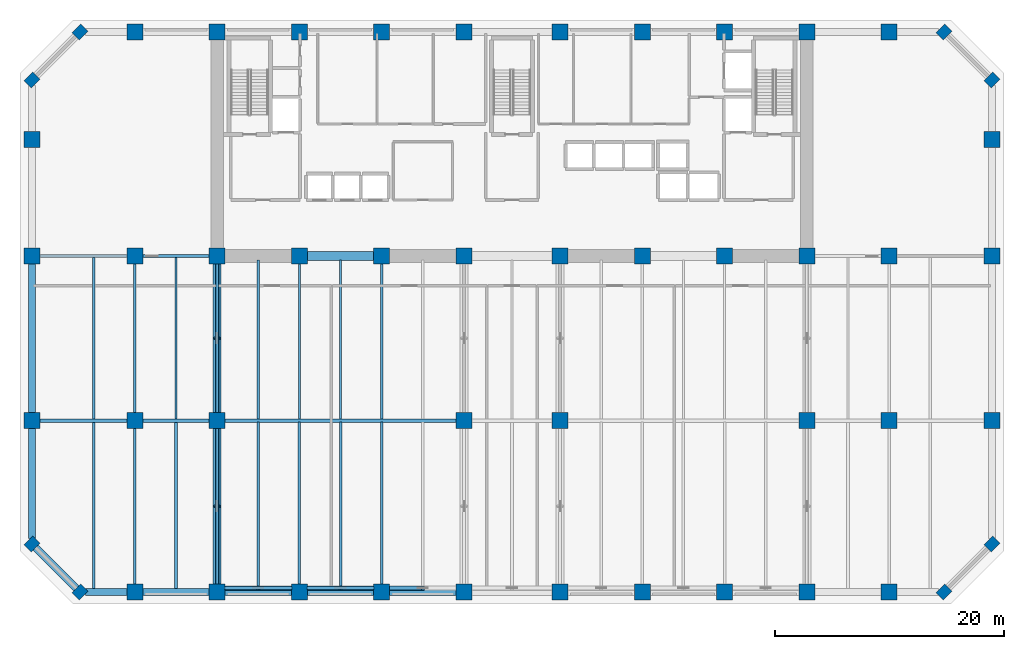
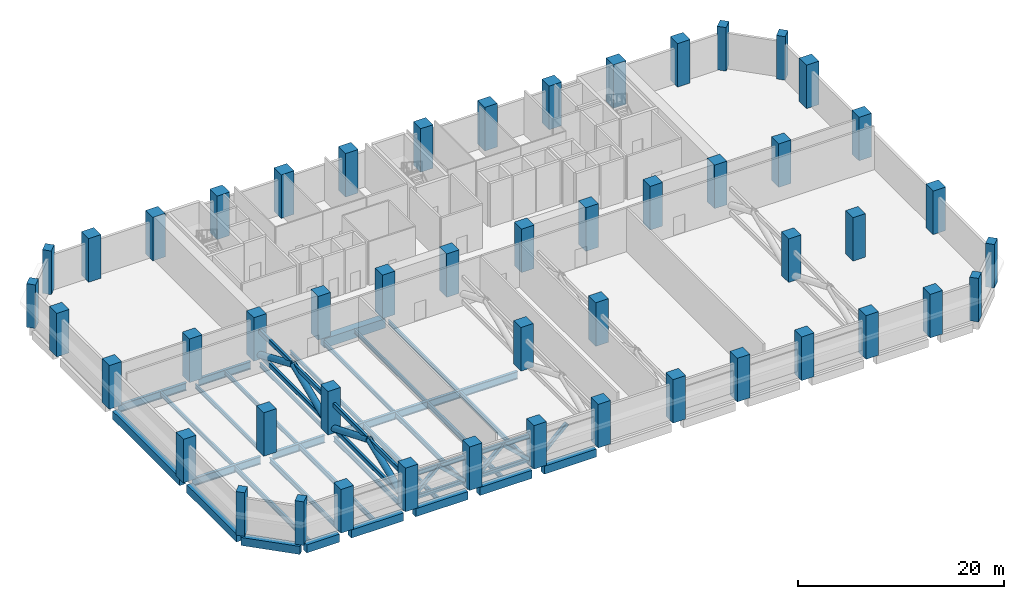
# One storey, part 1 of 15: 50 columns, 30 beams, 17 members.
"""IFC4 building model written with IfcOpenShell, lengths in metres."""

import ifcopenshell
import ifcopenshell.guid

model = None  # the IFC model being written
_history = None  # IfcOwnerHistory: only IFC2X3 demands one
_inside = {}  # id of a spatial element -> (the spatial element, [elements in it])
_under = {}  # id of a project, library or spatial element -> (it, [spatial elements below it])
_declared = {}  # id of a project -> (the project, [libraries it declares])
_typed = {}  # id of a type object -> (the type object, [elements of that type])
_made_of = {}  # id of a material, layer set ... -> (it, [elements and type objects made of it])


def new_model(schema):
    """Start an empty IFC model of exactly this schema.

    Asked for "IFC4X3", IfcOpenShell would pick the latest addendum, in which some entities
    have other attributes; the version numbers below select the first issue.
    IFC2X3 requires an IfcOwnerHistory on every rooted entity: one is made here for all.
    """
    global model, _history
    if schema == "IFC4X3":
        model = ifcopenshell.file(schema_version=(4, 3, 0, 0))
    else:
        model = ifcopenshell.file(schema=schema)
    _inside.clear()
    _under.clear()
    _declared.clear()
    _typed.clear()
    _made_of.clear()
    _history = None
    if model.schema == "IFC2X3":
        org = make("IfcOrganization", Name="unknown")
        user = make(
            "IfcPersonAndOrganization",
            ThePerson=make("IfcPerson", FamilyName="unknown"),
            TheOrganization=org,
        )
        app = make(
            "IfcApplication",
            ApplicationDeveloper=org,
            Version="unknown",
            ApplicationFullName="unknown",
            ApplicationIdentifier="unknown",
        )
        _history = make(
            "IfcOwnerHistory",
            OwningUser=user,
            OwningApplication=app,
            ChangeAction="ADDED",
            CreationDate=0,
        )
    return model


def make(cls, **values):
    """One entity of the class cls with the attributes given. An attribute that is None is left unset."""
    return model.create_entity(
        cls, **{name: value for name, value in values.items() if value is not None}
    )


def rooted(cls, **values):
    """An entity with a GlobalId (a new one), such as an element, a storey or a relation."""
    return make(cls, GlobalId=ifcopenshell.guid.new(), OwnerHistory=_history, **values)


def si_unit(unit_type, name, prefix=None):
    """IfcSIUnit, for example si_unit("LENGTHUNIT", "METRE", prefix="MILLI")."""
    return make("IfcSIUnit", UnitType=unit_type, Prefix=prefix, Name=name)


def assignment(units):
    """IfcUnitAssignment: the units of a project."""
    return None if units is None else make("IfcUnitAssignment", Units=units)


def point(xyz):
    """IfcCartesianPoint."""
    return None if xyz is None else make("IfcCartesianPoint", Coordinates=xyz)


def direction(xyz):
    """IfcDirection."""
    return None if xyz is None else make("IfcDirection", DirectionRatios=xyz)


def frame(location, z_axis=None, x_axis=None):
    """IfcAxis2Placement3D, a coordinate frame: its origin and axes. An axis left out is left unset."""
    return make(
        "IfcAxis2Placement3D",
        Location=point(location),
        Axis=direction(z_axis),
        RefDirection=direction(x_axis),
    )


def frame_2d(location, x_axis=None):
    """IfcAxis2Placement2D, a coordinate frame in the plane: its origin and x axis."""
    return make(
        "IfcAxis2Placement2D", Location=point(location), RefDirection=direction(x_axis)
    )


def origin():
    """The frame at (0, 0, 0) with its axes left unset."""
    return frame((0.0, 0.0, 0.0))


def origin_2d():
    """The frame at (0, 0) in the plane with its x axis left unset."""
    return frame_2d((0.0, 0.0))


def place(relative_to, where):
    """IfcLocalPlacement: puts the frame where relative to a parent placement (None: the world)."""
    return make(
        "IfcLocalPlacement", PlacementRelTo=relative_to, RelativePlacement=where
    )


def context(
    kind, dimensions, precision=None, world=None, true_north=None, identifier=None
):
    """IfcGeometricRepresentationContext, for example the 3D "Model" context."""
    return make(
        "IfcGeometricRepresentationContext",
        ContextIdentifier=identifier,
        ContextType=kind,
        CoordinateSpaceDimension=dimensions,
        Precision=precision,
        WorldCoordinateSystem=world,
        TrueNorth=true_north,
    )


def subcontext(parent, identifier, kind, view, scale=None):
    """IfcGeometricRepresentationSubContext, for example "Body" below "Model"."""
    return make(
        "IfcGeometricRepresentationSubContext",
        ContextIdentifier=identifier,
        ContextType=kind,
        ParentContext=parent,
        TargetScale=scale,
        TargetView=view,
    )


def project(units=None, contexts=None):
    """IfcProject with its units and contexts."""
    return rooted(
        "IfcProject",
        Name="project",
        RepresentationContexts=contexts,
        UnitsInContext=assignment(units),
    )


def spatial(cls, under=None, at=None, **own):
    """A site, building, storey or space (cls), placed at a placement, below another one or the project."""
    s = rooted(cls, ObjectPlacement=at, **own)
    if under is not None:
        _under.setdefault(under.id(), (under, []))[1].append(s)
    return s


def profile(cls, at=None, kind="AREA", **sizes):
    """A parametric profile (cls). Its sizes go by their IFC names, for example OverallWidth=200.0."""
    return make(cls, ProfileType=kind, Position=at, **sizes)


def rectangle(**sizes):
    """IfcRectangleProfileDef."""
    return profile("IfcRectangleProfileDef", **sizes)


def hollow_rectangle(**sizes):
    """IfcRectangleHollowProfileDef."""
    return profile("IfcRectangleHollowProfileDef", **sizes)


def hollow_circle(**sizes):
    """IfcCircleHollowProfileDef."""
    return profile("IfcCircleHollowProfileDef", **sizes)


def i_section(**sizes):
    """IfcIShapeProfileDef."""
    return profile("IfcIShapeProfileDef", **sizes)


def extrude(swept, where, along, depth):
    """IfcExtrudedAreaSolid: the profile swept, set in the frame where, extruded along a direction by depth."""
    return make(
        "IfcExtrudedAreaSolid",
        SweptArea=swept,
        Position=where,
        ExtrudedDirection=direction(along),
        Depth=depth,
    )


def shape(context_of_items, identifier, shape_type, items):
    """IfcShapeRepresentation: the items that make up one representation, for example the "Body"."""
    return make(
        "IfcShapeRepresentation",
        ContextOfItems=context_of_items,
        RepresentationIdentifier=identifier,
        RepresentationType=shape_type,
        Items=items,
    )


def material(Name=None, Category=None):
    """IfcMaterial."""
    return make("IfcMaterial", Name=Name, Category=Category)


def material_profile(
    of_material, cross_section, Name=None, Category=None, Priority=None
):
    """IfcMaterialProfile: a cross section and its material."""
    return make(
        "IfcMaterialProfile",
        Name=Name,
        Material=of_material,
        Profile=cross_section,
        Priority=Priority,
        Category=Category,
    )


def profile_set(profiles, Name=None, composite=None):
    """IfcMaterialProfileSet."""
    return make(
        "IfcMaterialProfileSet",
        Name=Name,
        MaterialProfiles=profiles,
        CompositeProfile=composite,
    )


def made_of(thing, what):
    """Note that an element or type object is made of a material, layer set ...; save() writes the relation."""
    if what is not None:
        _made_of.setdefault(what.id(), (what, []))[1].append(thing)
    return thing


def type_object(cls, material=None, **own):
    """A type object (cls), such as IfcWallType, which elements share."""
    return made_of(rooted(cls, **own), material)


def element(
    cls,
    number,
    at=None,
    inside=None,
    cuts=None,
    type_object=None,
    material=None,
    context=None,
    identifier="Body",
    shape_type=None,
    held_by="IfcProductDefinitionShape",
    body=None,
    shapes=None,
    **own,
):
    """One element of the class cls, such as IfcWall. Its Tag is "e" and its number.

    at: its placement. inside: the storey or other place that contains it. cuts: it is an
    opening in that element (IfcRelVoidsElement). A single representation is given by context,
    identifier, shape_type and body (its items); several are given by shapes. held_by: the class
    of the entity that holds the representations. save() writes the other relations.
    """
    e = rooted(cls, Tag="e%d" % number, ObjectPlacement=at, **own)
    if body is not None:
        shapes = [shape(context, identifier, shape_type, body)]
    if shapes is not None:
        e.Representation = make(held_by, Representations=shapes)
    if inside is not None:
        _inside.setdefault(inside.id(), (inside, []))[1].append(e)
    if cuts is not None:
        rooted(
            "IfcRelVoidsElement", RelatingBuildingElement=cuts, RelatedOpeningElement=e
        )
    if type_object is not None:
        _typed.setdefault(type_object.id(), (type_object, []))[1].append(e)
    return made_of(e, material)


def aggregate(whole, parts):
    """IfcRelAggregates: a whole, such as a stair, and the parts it consists of."""
    return rooted("IfcRelAggregates", RelatingObject=whole, RelatedObjects=parts)


def save(model, path):
    """Write the relations noted so far, then the file.

    IfcRelAggregates (storeys below a building ...), IfcRelContainedInSpatialStructure (elements
    in a storey), IfcRelDefinesByType, IfcRelAssociatesMaterial and IfcRelDeclares: one each for
    every whole, place, type object, material and project.
    """
    for whole, parts in _under.values():
        aggregate(whole, parts)
    for where, things in _inside.values():
        rooted(
            "IfcRelContainedInSpatialStructure",
            RelatedElements=things,
            RelatingStructure=where,
        )
    for kind, things in _typed.values():
        rooted("IfcRelDefinesByType", RelatedObjects=things, RelatingType=kind)
    for what, things in _made_of.values():
        rooted("IfcRelAssociatesMaterial", RelatedObjects=things, RelatingMaterial=what)
    for by, libraries in _declared.values():
        rooted("IfcRelDeclares", RelatingContext=by, RelatedDefinitions=libraries)
    model.write(path)


model = new_model("IFC4")

# Units and contexts
model_context = context("Model", 3, precision=1e-05, world=origin(), true_north=direction((0.0, 1.0)))
body_context = subcontext(model_context, "Body", "Model", "MODEL_VIEW")
ifc_project = project(units=[si_unit("LENGTHUNIT", "METRE"), si_unit("AREAUNIT", "SQUARE_METRE"), si_unit("VOLUMEUNIT", "CUBIC_METRE"), si_unit("PLANEANGLEUNIT", "RADIAN"), si_unit("MASSUNIT", "GRAM", prefix="KILO")], contexts=[model_context])

# Site, building, storey
site_placement = place(None, origin())
site = spatial("IfcSite", under=ifc_project, at=site_placement, CompositionType="ELEMENT")
building_placement = place(site_placement, origin())
building = spatial("IfcBuilding", under=site, at=building_placement, Name="Kaelvorn Grand Hotel", CompositionType="ELEMENT")
storey_placement = place(building_placement, frame((0.0, 0.0, 80.14990234375)))
storey = spatial("IfcBuildingStorey", under=building, at=storey_placement, Name="L18", CompositionType="ELEMENT", Elevation=80.14990234375)

# Columns
ifc_material_1 = material(Name="Concrete C80/95", Category="concrete")
ifc_material_profile_1 = material_profile(ifc_material_1, rectangle(XDim=1.10009765625, YDim=0.89990234375, at=origin_2d()), Name="RC PILASTER 1100x900")
ifc_profile_set_1 = profile_set([ifc_material_profile_1], Name="Concrete C80/95")
column_type_1 = type_object("IfcColumnType", Name="COL-PIL-1100x900-C80", PredefinedType="PILASTER", material=ifc_profile_set_1)
for number, where, z_axis, x_axis, name in (
    (1, (4.199951171875, 0.0, 0.0), (0.0, 0.0, 1.0), (0.707106781187, 0.707106781187, 0.0), "L18 Structural Column CH-01"),
    (2, (79.800048828125, 0.0, 0.0), (0.0, 0.0, 1.0), (0.707106781187, 0.707106781187, 0.0), "L18 Structural Column CH-02"),
    (3, (84.0, 4.199951171875, 0.0), (0.0, 0.0, 1.0), (0.707106781187, 0.707106781187, 0.0), "L18 Structural Column CH-03"),
    (4, (84.0, 44.800048828125, 0.0), (0.0, 0.0, 1.0), (0.707106781187, 0.707106781187, 0.0), "L18 Structural Column CH-04"),
    (5, (79.800048828125, 49.0, 0.0), (0.0, 0.0, 1.0), (0.707106781187, 0.707106781187, 0.0), "L18 Structural Column CH-05"),
    (6, (4.199951171875, 49.0, 0.0), (0.0, 0.0, 1.0), (0.707106781187, 0.707106781187, 0.0), "L18 Structural Column CH-06"),
    (7, (0.0, 44.800048828125, 0.0), (0.0, 0.0, 1.0), (0.707106781187, 0.707106781187, 0.0), "L18 Structural Column CH-07"),
    (8, (0.0, 4.199951171875, 0.0), (0.0, 0.0, 1.0), (0.707106781187, 0.707106781187, 0.0), "L18 Structural Column CH-08"),
):
    element("IfcColumn", number, at=place(storey_placement, frame(where, z_axis=z_axis, x_axis=x_axis)), inside=storey, type_object=column_type_1, Name=name, PredefinedType="PILASTER", context=body_context, shape_type="SweptSolid", body=[
        extrude(rectangle(XDim=1.10009765625, YDim=0.89990234375, at=origin_2d()), origin(), (0.0, 0.0, 1.0), 5.16015625),
    ])
ifc_material_profile_2 = material_profile(ifc_material_1, rectangle(XDim=1.39990234375, YDim=1.39990234375, at=origin_2d()), Name="RC COL 1400x1400")
ifc_profile_set_2 = profile_set([ifc_material_profile_2], Name="Concrete C80/95")
column_type_2 = type_object("IfcColumnType", Name="COL-RC-1400-C80", PredefinedType="COLUMN", material=ifc_profile_set_2)
for number, where, z_axis, x_axis, name in (
    (9, (9.0, 0.0, 0.0), (0.0, 0.0, 1.0), (1.0, 0.0, 0.0), "L18 Structural Column S-01"),
    (10, (16.199951171875, 0.0, 0.0), (0.0, 0.0, 1.0), (1.0, 0.0, 0.0), "L18 Structural Column S-02"),
    (11, (23.39990234375, 0.0, 0.0), (0.0, 0.0, 1.0), (1.0, 0.0, 0.0), "L18 Structural Column S-03"),
    (12, (30.60009765625, 0.0, 0.0), (0.0, 0.0, 1.0), (1.0, 0.0, 0.0), "L18 Structural Column S-04"),
    (13, (37.800048828125, 0.0, 0.0), (0.0, 0.0, 1.0), (1.0, 0.0, 0.0), "L18 Structural Column S-05"),
    (14, (46.199951171875, 0.0, 0.0), (0.0, 0.0, 1.0), (1.0, 0.0, 0.0), "L18 Structural Column S-06"),
    (15, (53.39990234375, 0.0, 0.0), (0.0, 0.0, 1.0), (1.0, 0.0, 0.0), "L18 Structural Column S-07"),
    (16, (60.60009765625, 0.0, 0.0), (0.0, 0.0, 1.0), (1.0, 0.0, 0.0), "L18 Structural Column S-08"),
    (17, (67.800048828125, 0.0, 0.0), (0.0, 0.0, 1.0), (1.0, 0.0, 0.0), "L18 Structural Column S-09"),
    (18, (75.0, 0.0, 0.0), (0.0, 0.0, 1.0), (1.0, 0.0, 0.0), "L18 Structural Column S-10"),
    (19, (0.0, 15.0, 0.0), (0.0, 0.0, 1.0), (1.0, 0.0, 0.0), "L18 Structural Column W-01"),
    (20, (84.0, 15.0, 0.0), (0.0, 0.0, 1.0), (1.0, 0.0, 0.0), "L18 Structural Column E-01"),
    (21, (0.0, 29.39990234375, 0.0), (0.0, 0.0, 1.0), (1.0, 0.0, 0.0), "L18 Structural Column W-02"),
    (22, (84.0, 29.39990234375, 0.0), (0.0, 0.0, 1.0), (1.0, 0.0, 0.0), "L18 Structural Column E-02"),
    (23, (0.0, 39.60009765625, 0.0), (0.0, 0.0, 1.0), (1.0, 0.0, 0.0), "L18 Structural Column W-03"),
    (24, (84.0, 39.60009765625, 0.0), (0.0, 0.0, 1.0), (1.0, 0.0, 0.0), "L18 Structural Column E-03"),
    (25, (9.0, 15.0, 0.0), (0.0, 0.0, 1.0), (1.0, 0.0, 0.0), "L18 Structural Column M-01"),
    (26, (16.199951171875, 15.0, 0.0), (0.0, 0.0, 1.0), (1.0, 0.0, 0.0), "L18 Structural Column M-02"),
    (27, (37.800048828125, 15.0, 0.0), (0.0, 0.0, 1.0), (1.0, 0.0, 0.0), "L18 Structural Column M-03"),
    (28, (46.199951171875, 15.0, 0.0), (0.0, 0.0, 1.0), (1.0, 0.0, 0.0), "L18 Structural Column M-04"),
    (29, (67.800048828125, 15.0, 0.0), (0.0, 0.0, 1.0), (1.0, 0.0, 0.0), "L18 Structural Column M-05"),
    (30, (75.0, 15.0, 0.0), (0.0, 0.0, 1.0), (1.0, 0.0, 0.0), "L18 Structural Column M-06"),
    (31, (9.0, 29.39990234375, 0.0), (0.0, 0.0, 1.0), (1.0, 0.0, 0.0), "L18 Structural Column CR1-01"),
    (32, (9.0, 49.0, 0.0), (0.0, 0.0, 1.0), (1.0, 0.0, 0.0), "L18 Structural Column CR2-01"),
    (33, (16.199951171875, 29.39990234375, 0.0), (0.0, 0.0, 1.0), (1.0, 0.0, 0.0), "L18 Structural Column CR1-02"),
    (34, (16.199951171875, 49.0, 0.0), (0.0, 0.0, 1.0), (1.0, 0.0, 0.0), "L18 Structural Column CR2-02"),
    (35, (23.39990234375, 29.39990234375, 0.0), (0.0, 0.0, 1.0), (1.0, 0.0, 0.0), "L18 Structural Column CR1-03"),
    (36, (23.39990234375, 49.0, 0.0), (0.0, 0.0, 1.0), (1.0, 0.0, 0.0), "L18 Structural Column CR2-03"),
    (37, (30.60009765625, 29.39990234375, 0.0), (0.0, 0.0, 1.0), (1.0, 0.0, 0.0), "L18 Structural Column CR1-04"),
    (38, (30.60009765625, 49.0, 0.0), (0.0, 0.0, 1.0), (1.0, 0.0, 0.0), "L18 Structural Column CR2-04"),
    (39, (37.800048828125, 29.39990234375, 0.0), (0.0, 0.0, 1.0), (1.0, 0.0, 0.0), "L18 Structural Column CR1-05"),
    (40, (37.800048828125, 49.0, 0.0), (0.0, 0.0, 1.0), (1.0, 0.0, 0.0), "L18 Structural Column CR2-05"),
    (41, (46.199951171875, 29.39990234375, 0.0), (0.0, 0.0, 1.0), (1.0, 0.0, 0.0), "L18 Structural Column CR1-06"),
    (42, (46.199951171875, 49.0, 0.0), (0.0, 0.0, 1.0), (1.0, 0.0, 0.0), "L18 Structural Column CR2-06"),
    (43, (53.39990234375, 29.39990234375, 0.0), (0.0, 0.0, 1.0), (1.0, 0.0, 0.0), "L18 Structural Column CR1-07"),
    (44, (53.39990234375, 49.0, 0.0), (0.0, 0.0, 1.0), (1.0, 0.0, 0.0), "L18 Structural Column CR2-07"),
    (45, (60.60009765625, 29.39990234375, 0.0), (0.0, 0.0, 1.0), (1.0, 0.0, 0.0), "L18 Structural Column CR1-08"),
    (46, (60.60009765625, 49.0, 0.0), (0.0, 0.0, 1.0), (1.0, 0.0, 0.0), "L18 Structural Column CR2-08"),
    (47, (67.800048828125, 29.39990234375, 0.0), (0.0, 0.0, 1.0), (1.0, 0.0, 0.0), "L18 Structural Column CR1-09"),
    (48, (67.800048828125, 49.0, 0.0), (0.0, 0.0, 1.0), (1.0, 0.0, 0.0), "L18 Structural Column CR2-09"),
    (49, (75.0, 29.39990234375, 0.0), (0.0, 0.0, 1.0), (1.0, 0.0, 0.0), "L18 Structural Column CR1-10"),
    (50, (75.0, 49.0, 0.0), (0.0, 0.0, 1.0), (1.0, 0.0, 0.0), "L18 Structural Column CR2-10"),
):
    element("IfcColumn", number, at=place(storey_placement, frame(where, z_axis=z_axis, x_axis=x_axis)), inside=storey, type_object=column_type_2, Name=name, PredefinedType="COLUMN", context=body_context, shape_type="SweptSolid", body=[
        extrude(rectangle(XDim=1.39990234375, YDim=1.39990234375, at=origin_2d()), origin(), (0.0, 0.0, 1.0), 5.16015625),
    ])

# Beams
ifc_material_2 = material(Name="Steel S460", Category="steel")
ifc_material_profile_3 = material_profile(ifc_material_2, i_section(OverallWidth=0.302001953125, OverallDepth=0.909912109375, WebThickness=0.02099609375, FlangeThickness=0.0400390625, FilletRadius=0.030029296875, at=origin_2d()), Name="HEM 900")
ifc_profile_set_3 = profile_set([ifc_material_profile_3], Name="Steel S460")
beam_type_1 = type_object("IfcBeamType", Name="BM-G-HEM900-S460", PredefinedType="BEAM", material=ifc_profile_set_3)
beam_1_placement = place(storey_placement, frame((0.68505859375, 15.0, -0.804931640625), z_axis=(1.0, 0.0, 0.0), x_axis=(0.0, 1.0, 0.0)))
element("IfcBeam", 51, at=beam_1_placement, inside=storey, type_object=beam_type_1, Name="L18 Primary Spine Steel Girder G-15 01", PredefinedType="BEAM", context=body_context, shape_type="SweptSolid", body=[
    extrude(i_section(OverallWidth=0.302001953125, OverallDepth=0.909912109375, WebThickness=0.02099609375, FlangeThickness=0.0400390625, FilletRadius=0.030029296875, at=origin_2d()), origin(), (0.0, 0.0, 1.0), 7.6298828125),
])
beam_2_placement = place(storey_placement, frame((9.68505859375, 15.0, -0.804931640625), z_axis=(1.0, 0.0, 0.0), x_axis=(0.0, 1.0, 0.0)))
element("IfcBeam", 52, at=beam_2_placement, inside=storey, type_object=beam_type_1, Name="L18 Primary Spine Steel Girder G-15 02", PredefinedType="BEAM", context=body_context, shape_type="SweptSolid", body=[
    extrude(i_section(OverallWidth=0.302001953125, OverallDepth=0.909912109375, WebThickness=0.02099609375, FlangeThickness=0.0400390625, FilletRadius=0.030029296875, at=origin_2d()), origin(), (0.0, 0.0, 1.0), 5.829833984375),
])
beam_3_placement = place(storey_placement, frame((16.885009765625, 15.0, -0.804931640625), z_axis=(1.0, 0.0, 0.0), x_axis=(0.0, 1.0, 0.0)))
element("IfcBeam", 53, at=beam_3_placement, inside=storey, type_object=beam_type_1, Name="L18 Primary Spine Steel Girder G-15 03", PredefinedType="BEAM", context=body_context, shape_type="SweptSolid", body=[
    extrude(i_section(OverallWidth=0.302001953125, OverallDepth=0.909912109375, WebThickness=0.02099609375, FlangeThickness=0.0400390625, FilletRadius=0.030029296875, at=origin_2d()), origin(), (0.0, 0.0, 1.0), 20.22998046875),
])
beam_4_placement = place(storey_placement, frame((0.68505859375, 29.39990234375, -0.804931640625), z_axis=(1.0, 0.0, 0.0), x_axis=(0.0, 1.0, 0.0)))
element("IfcBeam", 54, at=beam_4_placement, inside=storey, type_object=beam_type_1, Name="L18 West Core Wing Steel Girder G-29W 01", PredefinedType="BEAM", context=body_context, shape_type="SweptSolid", body=[
    extrude(i_section(OverallWidth=0.302001953125, OverallDepth=0.909912109375, WebThickness=0.02099609375, FlangeThickness=0.0400390625, FilletRadius=0.030029296875, at=origin_2d()), origin(), (0.0, 0.0, 1.0), 7.6298828125),
])
beam_5_placement = place(storey_placement, frame((9.68505859375, 29.39990234375, -0.804931640625), z_axis=(1.0, 0.0, 0.0), x_axis=(0.0, 1.0, 0.0)))
element("IfcBeam", 55, at=beam_5_placement, inside=storey, type_object=beam_type_1, Name="L18 West Core Wing Steel Girder G-29W 02", PredefinedType="BEAM", context=body_context, shape_type="SweptSolid", body=[
    extrude(i_section(OverallWidth=0.302001953125, OverallDepth=0.909912109375, WebThickness=0.02099609375, FlangeThickness=0.0400390625, FilletRadius=0.030029296875, at=origin_2d()), origin(), (0.0, 0.0, 1.0), 5.829833984375),
])
ifc_material_3 = material(Name="Steel S355", Category="steel")
ifc_material_profile_4 = material_profile(ifc_material_3, i_section(OverallWidth=0.199951171875, OverallDepth=0.5, WebThickness=0.01025390625, FlangeThickness=0.01611328125, FilletRadius=0.02099609375, at=origin_2d()), Name="IPE 500")
ifc_profile_set_4 = profile_set([ifc_material_profile_4], Name="Steel S355")
beam_type_2 = type_object("IfcBeamType", Name="BM-J-IPE500-S355", PredefinedType="JOIST", material=ifc_profile_set_4)
beam_6_placement = place(storey_placement, frame((5.39990234375, 15.135986328125, -0.599853515625), z_axis=(0.0, 1.0, 0.0), x_axis=(-1.0, 0.0, 0.0)))
element("IfcBeam", 56, at=beam_6_placement, inside=storey, type_object=beam_type_2, Name="L18 Composite Floor Joist JM-02", PredefinedType="JOIST", context=body_context, shape_type="SweptSolid", body=[
    extrude(i_section(OverallWidth=0.199951171875, OverallDepth=0.5, WebThickness=0.01025390625, FlangeThickness=0.01611328125, FilletRadius=0.02099609375, at=origin_2d()), origin(), (0.0, 0.0, 1.0), 14.1279296875),
])
beam_7_placement = place(storey_placement, frame((9.0, 15.68505859375, -0.599853515625), z_axis=(0.0, 1.0, 0.0), x_axis=(-1.0, 0.0, 0.0)))
element("IfcBeam", 57, at=beam_7_placement, inside=storey, type_object=beam_type_2, Name="L18 Composite Floor Joist JM-03", PredefinedType="JOIST", context=body_context, shape_type="SweptSolid", body=[
    extrude(i_section(OverallWidth=0.199951171875, OverallDepth=0.5, WebThickness=0.01025390625, FlangeThickness=0.01611328125, FilletRadius=0.02099609375, at=origin_2d()), origin(), (0.0, 0.0, 1.0), 13.030029296875),
])
beam_8_placement = place(storey_placement, frame((12.60009765625, 15.135986328125, -0.599853515625), z_axis=(0.0, 1.0, 0.0), x_axis=(-1.0, 0.0, 0.0)))
element("IfcBeam", 58, at=beam_8_placement, inside=storey, type_object=beam_type_2, Name="L18 Composite Floor Joist JM-04", PredefinedType="JOIST", context=body_context, shape_type="SweptSolid", body=[
    extrude(i_section(OverallWidth=0.199951171875, OverallDepth=0.5, WebThickness=0.01025390625, FlangeThickness=0.01611328125, FilletRadius=0.02099609375, at=origin_2d()), origin(), (0.0, 0.0, 1.0), 14.1279296875),
])
beam_9_placement = place(storey_placement, frame((16.199951171875, 15.68505859375, -0.599853515625), z_axis=(0.0, 1.0, 0.0), x_axis=(-1.0, 0.0, 0.0)))
element("IfcBeam", 59, at=beam_9_placement, inside=storey, type_object=beam_type_2, Name="L18 Composite Floor Joist JM-05", PredefinedType="JOIST", context=body_context, shape_type="SweptSolid", body=[
    extrude(i_section(OverallWidth=0.199951171875, OverallDepth=0.5, WebThickness=0.01025390625, FlangeThickness=0.01611328125, FilletRadius=0.02099609375, at=origin_2d()), origin(), (0.0, 0.0, 1.0), 13.030029296875),
])
beam_10_placement = place(storey_placement, frame((19.800048828125, 15.135986328125, -0.599853515625), z_axis=(0.0, 1.0, 0.0), x_axis=(-1.0, 0.0, 0.0)))
element("IfcBeam", 60, at=beam_10_placement, inside=storey, type_object=beam_type_2, Name="L18 Composite Floor Joist JM-06", PredefinedType="JOIST", context=body_context, shape_type="SweptSolid", body=[
    extrude(i_section(OverallWidth=0.199951171875, OverallDepth=0.5, WebThickness=0.01025390625, FlangeThickness=0.01611328125, FilletRadius=0.02099609375, at=origin_2d()), origin(), (0.0, 0.0, 1.0), 13.924072265625),
])
beam_11_placement = place(storey_placement, frame((23.39990234375, 15.135986328125, -0.599853515625), z_axis=(0.0, 1.0, 0.0), x_axis=(-1.0, 0.0, 0.0)))
element("IfcBeam", 61, at=beam_11_placement, inside=storey, type_object=beam_type_2, Name="L18 Composite Floor Joist JM-07", PredefinedType="JOIST", context=body_context, shape_type="SweptSolid", body=[
    extrude(i_section(OverallWidth=0.199951171875, OverallDepth=0.5, WebThickness=0.01025390625, FlangeThickness=0.01611328125, FilletRadius=0.02099609375, at=origin_2d()), origin(), (0.0, 0.0, 1.0), 13.5791015625),
])
beam_12_placement = place(storey_placement, frame((27.0, 15.135986328125, -0.599853515625), z_axis=(0.0, 1.0, 0.0), x_axis=(-1.0, 0.0, 0.0)))
element("IfcBeam", 62, at=beam_12_placement, inside=storey, type_object=beam_type_2, Name="L18 Composite Floor Joist JM-08", PredefinedType="JOIST", context=body_context, shape_type="SweptSolid", body=[
    extrude(i_section(OverallWidth=0.199951171875, OverallDepth=0.5, WebThickness=0.01025390625, FlangeThickness=0.01611328125, FilletRadius=0.02099609375, at=origin_2d()), origin(), (0.0, 0.0, 1.0), 13.924072265625),
])
beam_13_placement = place(storey_placement, frame((30.60009765625, 15.135986328125, -0.599853515625), z_axis=(0.0, 1.0, 0.0), x_axis=(-1.0, 0.0, 0.0)))
element("IfcBeam", 63, at=beam_13_placement, inside=storey, type_object=beam_type_2, Name="L18 Composite Floor Joist JM-09", PredefinedType="JOIST", context=body_context, shape_type="SweptSolid", body=[
    extrude(i_section(OverallWidth=0.199951171875, OverallDepth=0.5, WebThickness=0.01025390625, FlangeThickness=0.01611328125, FilletRadius=0.02099609375, at=origin_2d()), origin(), (0.0, 0.0, 1.0), 13.5791015625),
])
ifc_material_profile_5 = material_profile(ifc_material_3, i_section(OverallWidth=0.219970703125, OverallDepth=0.60009765625, WebThickness=0.011962890625, FlangeThickness=0.01904296875, FilletRadius=0.02392578125, at=origin_2d()), Name="IPE 600")
ifc_profile_set_5 = profile_set([ifc_material_profile_5], Name="Steel S355")
beam_type_3 = type_object("IfcBeamType", Name="BM-J-IPE600-S355", PredefinedType="JOIST", material=ifc_profile_set_5)
beam_14_placement = place(storey_placement, frame((5.39990234375, 0.31005859375, -0.64990234375), z_axis=(0.0, 1.0, 0.0), x_axis=(-1.0, 0.0, 0.0)))
element("IfcBeam", 64, at=beam_14_placement, inside=storey, type_object=beam_type_3, Name="L18 Composite Floor Joist JS-02", PredefinedType="JOIST", context=body_context, shape_type="SweptSolid", body=[
    extrude(i_section(OverallWidth=0.219970703125, OverallDepth=0.60009765625, WebThickness=0.011962890625, FlangeThickness=0.01904296875, FilletRadius=0.02392578125, at=origin_2d()), origin(), (0.0, 0.0, 1.0), 14.553955078125),
])
beam_15_placement = place(storey_placement, frame((9.0, 0.68505859375, -0.64990234375), z_axis=(0.0, 1.0, 0.0), x_axis=(-1.0, 0.0, 0.0)))
element("IfcBeam", 65, at=beam_15_placement, inside=storey, type_object=beam_type_3, Name="L18 Composite Floor Joist JS-03", PredefinedType="JOIST", context=body_context, shape_type="SweptSolid", body=[
    extrude(i_section(OverallWidth=0.219970703125, OverallDepth=0.60009765625, WebThickness=0.011962890625, FlangeThickness=0.01904296875, FilletRadius=0.02392578125, at=origin_2d()), origin(), (0.0, 0.0, 1.0), 13.6298828125),
])
beam_16_placement = place(storey_placement, frame((12.60009765625, 0.31005859375, -0.64990234375), z_axis=(0.0, 1.0, 0.0), x_axis=(-1.0, 0.0, 0.0)))
element("IfcBeam", 66, at=beam_16_placement, inside=storey, type_object=beam_type_3, Name="L18 Composite Floor Joist JS-04", PredefinedType="JOIST", context=body_context, shape_type="SweptSolid", body=[
    extrude(i_section(OverallWidth=0.219970703125, OverallDepth=0.60009765625, WebThickness=0.011962890625, FlangeThickness=0.01904296875, FilletRadius=0.02392578125, at=origin_2d()), origin(), (0.0, 0.0, 1.0), 14.553955078125),
])
beam_17_placement = place(storey_placement, frame((16.199951171875, 0.68505859375, -0.64990234375), z_axis=(0.0, 1.0, 0.0), x_axis=(-1.0, 0.0, 0.0)))
element("IfcBeam", 67, at=beam_17_placement, inside=storey, type_object=beam_type_3, Name="L18 Composite Floor Joist JS-05", PredefinedType="JOIST", context=body_context, shape_type="SweptSolid", body=[
    extrude(i_section(OverallWidth=0.219970703125, OverallDepth=0.60009765625, WebThickness=0.011962890625, FlangeThickness=0.01904296875, FilletRadius=0.02392578125, at=origin_2d()), origin(), (0.0, 0.0, 1.0), 13.6298828125),
])
beam_18_placement = place(storey_placement, frame((19.800048828125, 0.31005859375, -0.64990234375), z_axis=(0.0, 1.0, 0.0), x_axis=(-1.0, 0.0, 0.0)))
element("IfcBeam", 68, at=beam_18_placement, inside=storey, type_object=beam_type_3, Name="L18 Composite Floor Joist JS-06", PredefinedType="JOIST", context=body_context, shape_type="SweptSolid", body=[
    extrude(i_section(OverallWidth=0.219970703125, OverallDepth=0.60009765625, WebThickness=0.011962890625, FlangeThickness=0.01904296875, FilletRadius=0.02392578125, at=origin_2d()), origin(), (0.0, 0.0, 1.0), 14.553955078125),
])
beam_19_placement = place(storey_placement, frame((23.39990234375, 0.68505859375, -0.64990234375), z_axis=(0.0, 1.0, 0.0), x_axis=(-1.0, 0.0, 0.0)))
element("IfcBeam", 69, at=beam_19_placement, inside=storey, type_object=beam_type_3, Name="L18 Composite Floor Joist JS-07", PredefinedType="JOIST", context=body_context, shape_type="SweptSolid", body=[
    extrude(i_section(OverallWidth=0.219970703125, OverallDepth=0.60009765625, WebThickness=0.011962890625, FlangeThickness=0.01904296875, FilletRadius=0.02392578125, at=origin_2d()), origin(), (0.0, 0.0, 1.0), 14.178955078125),
])
beam_20_placement = place(storey_placement, frame((27.0, 0.31005859375, -0.64990234375), z_axis=(0.0, 1.0, 0.0), x_axis=(-1.0, 0.0, 0.0)))
element("IfcBeam", 70, at=beam_20_placement, inside=storey, type_object=beam_type_3, Name="L18 Composite Floor Joist JS-08", PredefinedType="JOIST", context=body_context, shape_type="SweptSolid", body=[
    extrude(i_section(OverallWidth=0.219970703125, OverallDepth=0.60009765625, WebThickness=0.011962890625, FlangeThickness=0.01904296875, FilletRadius=0.02392578125, at=origin_2d()), origin(), (0.0, 0.0, 1.0), 14.553955078125),
])
beam_21_placement = place(storey_placement, frame((30.60009765625, 0.68505859375, -0.64990234375), z_axis=(0.0, 1.0, 0.0), x_axis=(-1.0, 0.0, 0.0)))
element("IfcBeam", 71, at=beam_21_placement, inside=storey, type_object=beam_type_3, Name="L18 Composite Floor Joist JS-09", PredefinedType="JOIST", context=body_context, shape_type="SweptSolid", body=[
    extrude(i_section(OverallWidth=0.219970703125, OverallDepth=0.60009765625, WebThickness=0.011962890625, FlangeThickness=0.01904296875, FilletRadius=0.02392578125, at=origin_2d()), origin(), (0.0, 0.0, 1.0), 14.178955078125),
])
ifc_material_4 = material(Name="Concrete C60/75", Category="concrete")
ifc_material_profile_6 = material_profile(ifc_material_4, rectangle(XDim=0.800048828125, YDim=1.10009765625, at=origin_2d()), Name="RC LINTEL 800x1100")
ifc_profile_set_6 = profile_set([ifc_material_profile_6], Name="Concrete C60/75")
beam_type_4 = type_object("IfcBeamType", Name="BM-LIN-800x1100-C60", PredefinedType="LINTEL", material=ifc_profile_set_6)
beam_22_placement = place(storey_placement, frame((23.580078125, 29.39990234375, -0.89990234375), z_axis=(1.0, 0.0, 0.0), x_axis=(0.0, 1.0, 0.0)))
element("IfcBeam", 72, at=beam_22_placement, inside=storey, type_object=beam_type_4, Name="L18 Rear-Core Coupling Lintel Beam CB1-01", PredefinedType="LINTEL", context=body_context, shape_type="SweptSolid", body=[
    extrude(rectangle(XDim=0.800048828125, YDim=1.10009765625, at=origin_2d()), origin(), (0.0, 0.0, 1.0), 6.83984375),
])
ifc_material_profile_7 = material_profile(ifc_material_4, rectangle(XDim=0.64990234375, YDim=0.949951171875, at=origin_2d()), Name="RC SPANDREL 650x950")
ifc_profile_set_7 = profile_set([ifc_material_profile_7], Name="Concrete C60/75")
beam_type_5 = type_object("IfcBeamType", Name="BM-SP-650x950-C60", PredefinedType="SPANDREL", material=ifc_profile_set_7)
beam_23_placement = place(storey_placement, frame((4.68505859375, 0.0, -0.824951171875), z_axis=(1.0, 0.0, 0.0), x_axis=(0.0, 1.0, 0.0)))
element("IfcBeam", 73, at=beam_23_placement, inside=storey, type_object=beam_type_5, Name="L18 South Perimeter Spandrel 01", PredefinedType="SPANDREL", context=body_context, shape_type="SweptSolid", body=[
    extrude(rectangle(XDim=0.64990234375, YDim=0.949951171875, at=origin_2d()), origin(), (0.0, 0.0, 1.0), 3.6298828125),
])
beam_24_placement = place(storey_placement, frame((9.68505859375, 0.0, -0.824951171875), z_axis=(1.0, 0.0, 0.0), x_axis=(0.0, 1.0, 0.0)))
element("IfcBeam", 74, at=beam_24_placement, inside=storey, type_object=beam_type_5, Name="L18 South Perimeter Spandrel 02", PredefinedType="SPANDREL", context=body_context, shape_type="SweptSolid", body=[
    extrude(rectangle(XDim=0.64990234375, YDim=0.949951171875, at=origin_2d()), origin(), (0.0, 0.0, 1.0), 5.829833984375),
])
for number, where, z_axis, x_axis, name in (
    (75, (16.885009765625, 0.0, -0.824951171875), (1.0, 0.0, 0.0), (0.0, 1.0, 0.0), "L18 South Perimeter Spandrel 03"),
    (76, (24.0849609375, 0.0, -0.824951171875), (1.0, 0.0, 0.0), (0.0, 1.0, 0.0), "L18 South Perimeter Spandrel 04"),
    (77, (31.284912109375, 0.0, -0.824951171875), (1.0, 0.0, 0.0), (0.0, 1.0, 0.0), "L18 South Perimeter Spandrel 05"),
):
    element("IfcBeam", number, at=place(storey_placement, frame(where, z_axis=z_axis, x_axis=x_axis)), inside=storey, type_object=beam_type_5, Name=name, PredefinedType="SPANDREL", context=body_context, shape_type="SweptSolid", body=[
        extrude(rectangle(XDim=0.64990234375, YDim=0.949951171875, at=origin_2d()), origin(), (0.0, 0.0, 1.0), 5.830078125),
    ])
beam_25_placement = place(storey_placement, frame((0.0, 4.68505859375, -0.824951171875), z_axis=(0.0, 1.0, 0.0), x_axis=(-1.0, 0.0, 0.0)))
element("IfcBeam", 78, at=beam_25_placement, inside=storey, type_object=beam_type_5, Name="L18 West Perimeter Spandrel 01", PredefinedType="SPANDREL", context=body_context, shape_type="SweptSolid", body=[
    extrude(rectangle(XDim=0.64990234375, YDim=0.949951171875, at=origin_2d()), origin(), (0.0, 0.0, 1.0), 9.6298828125),
])
beam_26_placement = place(storey_placement, frame((0.0, 15.68505859375, -0.824951171875), z_axis=(0.0, 1.0, 0.0), x_axis=(-1.0, 0.0, 0.0)))
element("IfcBeam", 79, at=beam_26_placement, inside=storey, type_object=beam_type_5, Name="L18 West Perimeter Spandrel 02", PredefinedType="SPANDREL", context=body_context, shape_type="SweptSolid", body=[
    extrude(rectangle(XDim=0.64990234375, YDim=0.949951171875, at=origin_2d()), origin(), (0.0, 0.0, 1.0), 13.030029296875),
])
beam_27_placement = place(storey_placement, frame((0.0, 4.199951171875, -0.824951171875), z_axis=(0.707106781187, -0.707106781187, 0.0), x_axis=(0.707106781187, 0.707106781187, 0.0)))
element("IfcBeam", 80, at=beam_27_placement, inside=storey, type_object=beam_type_5, Name="L18 Chamfer Spandrel Beam 4", PredefinedType="SPANDREL", context=body_context, shape_type="SweptSolid", body=[
    extrude(rectangle(XDim=0.64990234375, YDim=0.949951171875, at=origin_2d()), origin(), (0.0, 0.0, 1.0), 5.939697265625),
])

# Members
ifc_material_profile_8 = material_profile(ifc_material_2, hollow_rectangle(XDim=0.39990234375, YDim=0.39990234375, WallThickness=0.02001953125, InnerFilletRadius=0.02001953125, OuterFilletRadius=0.0400390625, at=origin_2d()), Name="SHS 400x400x20.0")
ifc_profile_set_8 = profile_set([ifc_material_profile_8], Name="Steel S460")
member_type_1 = type_object("IfcMemberType", Name="MB-BT-BRACE-SHS400", PredefinedType="BRACE", material=ifc_profile_set_8)
member_1_placement = place(storey_placement, frame((16.81494140625, 0.340087890625, 0.550048828125), z_axis=(0.729353016021, 0.0, 0.684137543203), x_axis=(0.0, 1.0, 0.0)))
element("IfcMember", 81, at=member_1_placement, inside=storey, type_object=member_type_1, Name="L18 Belt Truss Brace L1", PredefinedType="BRACE", context=body_context, shape_type="SweptSolid", body=[
    extrude(hollow_rectangle(XDim=0.39990234375, YDim=0.39990234375, WallThickness=0.02001953125, InnerFilletRadius=0.02001953125, OuterFilletRadius=0.0400390625, at=origin_2d()), origin(), (0.0, 0.0, 1.0), 4.0927734375),
])
member_2_placement = place(storey_placement, frame((19.800048828125, 0.340087890625, 3.35009765625), z_axis=(0.729325094887, 0.0, -0.684167308462), x_axis=(0.0, 1.0, 0.0)))
element("IfcMember", 82, at=member_2_placement, inside=storey, type_object=member_type_1, Name="L18 Belt Truss Brace R1", PredefinedType="BRACE", context=body_context, shape_type="SweptSolid", body=[
    extrude(hollow_rectangle(XDim=0.39990234375, YDim=0.39990234375, WallThickness=0.02001953125, InnerFilletRadius=0.02001953125, OuterFilletRadius=0.0400390625, at=origin_2d()), origin(), (0.0, 0.0, 1.0), 4.092529296875),
])
for number, where, z_axis, x_axis, name in (
    (83, (24.014892578125, 0.340087890625, 0.550048828125), (0.729353016021, 0.0, 0.684137543203), (0.0, 1.0, 0.0), "L18 Belt Truss Brace L2"),
    (84, (27.0, 0.340087890625, 3.35009765625), (0.729353016021, 0.0, -0.684137543203), (0.0, 1.0, 0.0), "L18 Belt Truss Brace R2"),
):
    element("IfcMember", number, at=place(storey_placement, frame(where, z_axis=z_axis, x_axis=x_axis)), inside=storey, type_object=member_type_1, Name=name, PredefinedType="BRACE", context=body_context, shape_type="SweptSolid", body=[
        extrude(hollow_rectangle(XDim=0.39990234375, YDim=0.39990234375, WallThickness=0.02001953125, InnerFilletRadius=0.02001953125, OuterFilletRadius=0.0400390625, at=origin_2d()), origin(), (0.0, 0.0, 1.0), 4.0927734375),
    ])
member_3_placement = place(storey_placement, frame((31.215087890625, 0.340087890625, 0.550048828125), z_axis=(0.729325094887, 0.0, 0.684167308462), x_axis=(0.0, 1.0, 0.0)))
element("IfcMember", 85, at=member_3_placement, inside=storey, type_object=member_type_1, Name="L18 Belt Truss Brace L3", PredefinedType="BRACE", context=body_context, shape_type="SweptSolid", body=[
    extrude(hollow_rectangle(XDim=0.39990234375, YDim=0.39990234375, WallThickness=0.02001953125, InnerFilletRadius=0.02001953125, OuterFilletRadius=0.0400390625, at=origin_2d()), origin(), (0.0, 0.0, 1.0), 4.092529296875),
])
ifc_material_profile_9 = material_profile(ifc_material_2, hollow_circle(Radius=0.35546875, WallThickness=0.031982421875, at=origin_2d()), Name="CHS 711.0x32.0")
ifc_profile_set_9 = profile_set([ifc_material_profile_9], Name="Steel S460")
member_type_2 = type_object("IfcMemberType", Name="MB-OR-BRACE-CHS711", PredefinedType="BRACE", material=ifc_profile_set_9)
for number, where, z_axis, x_axis, name in (
    (86, (16.199951171875, 0.68505859375, 0.550048828125), (0.0, 0.924969486333, 0.380041378475), (-1.0, 0.0, 0.0), "L18 Outrigger Brace Diagonal A1.1"),
    (87, (16.199951171875, 7.5, 3.35009765625), (0.0, 0.924969486333, -0.380041378475), (-1.0, 0.0, 0.0), "L18 Outrigger Brace Diagonal B1.1"),
):
    element("IfcMember", number, at=place(storey_placement, frame(where, z_axis=z_axis, x_axis=x_axis)), inside=storey, type_object=member_type_2, Name=name, PredefinedType="BRACE", context=body_context, shape_type="SweptSolid", body=[
        extrude(hollow_circle(Radius=0.35546875, WallThickness=0.031982421875, at=origin_2d()), origin(), (0.0, 0.0, 1.0), 7.36767578125),
    ])
member_4_placement = place(storey_placement, frame((16.199951171875, 15.68505859375, 0.550048828125), z_axis=(0.0, 0.918738516718, 0.394866481103), x_axis=(-1.0, 0.0, 0.0)))
element("IfcMember", 88, at=member_4_placement, inside=storey, type_object=member_type_2, Name="L18 Outrigger Brace Diagonal A1.2", PredefinedType="BRACE", context=body_context, shape_type="SweptSolid", body=[
    extrude(hollow_circle(Radius=0.35546875, WallThickness=0.031982421875, at=origin_2d()), origin(), (0.0, 0.0, 1.0), 7.091064453125),
])
member_5_placement = place(storey_placement, frame((16.199951171875, 22.199951171875, 3.35009765625), z_axis=(0.0, 0.918743884621, -0.394853991333), x_axis=(-1.0, 0.0, 0.0)))
element("IfcMember", 89, at=member_5_placement, inside=storey, type_object=member_type_2, Name="L18 Outrigger Brace Diagonal B1.2", PredefinedType="BRACE", context=body_context, shape_type="SweptSolid", body=[
    extrude(hollow_circle(Radius=0.35546875, WallThickness=0.031982421875, at=origin_2d()), origin(), (0.0, 0.0, 1.0), 7.09130859375),
])
ifc_material_profile_10 = material_profile(ifc_material_2, hollow_rectangle(XDim=0.300048828125, YDim=0.5, WallThickness=0.02001953125, InnerFilletRadius=0.02001953125, OuterFilletRadius=0.0400390625, at=origin_2d()), Name="RHS 500x300x20.0")
ifc_profile_set_10 = profile_set([ifc_material_profile_10], Name="Steel S460")
member_type_3 = type_object("IfcMemberType", Name="MB-OR-CHORD-RHS500", PredefinedType="CHORD", material=ifc_profile_set_10)
for number, where, z_axis, x_axis, name in (
    (90, (16.199951171875, 0.68505859375, 0.550048828125), (0.0, 1.0, 0.0), (-1.0, 0.0, 0.0), "L18 Outrigger Bottom Chord OC-1.1"),
    (91, (16.199951171875, 0.68505859375, 3.35009765625), (0.0, 1.0, 0.0), (-1.0, 0.0, 0.0), "L18 Outrigger Top Chord OC-1.1"),
):
    element("IfcMember", number, at=place(storey_placement, frame(where, z_axis=z_axis, x_axis=x_axis)), inside=storey, type_object=member_type_3, Name=name, PredefinedType="CHORD", context=body_context, shape_type="SweptSolid", body=[
        extrude(hollow_rectangle(XDim=0.300048828125, YDim=0.5, WallThickness=0.02001953125, InnerFilletRadius=0.02001953125, OuterFilletRadius=0.0400390625, at=origin_2d()), origin(), (0.0, 0.0, 1.0), 13.6298828125),
    ])
for number, where, z_axis, x_axis, name in (
    (92, (16.199951171875, 15.68505859375, 0.550048828125), (0.0, 1.0, 0.0), (-1.0, 0.0, 0.0), "L18 Outrigger Bottom Chord OC-1.2"),
    (93, (16.199951171875, 15.68505859375, 3.35009765625), (0.0, 1.0, 0.0), (-1.0, 0.0, 0.0), "L18 Outrigger Top Chord OC-1.2"),
):
    element("IfcMember", number, at=place(storey_placement, frame(where, z_axis=z_axis, x_axis=x_axis)), inside=storey, type_object=member_type_3, Name=name, PredefinedType="CHORD", context=body_context, shape_type="SweptSolid", body=[
        extrude(hollow_rectangle(XDim=0.300048828125, YDim=0.5, WallThickness=0.02001953125, InnerFilletRadius=0.02001953125, OuterFilletRadius=0.0400390625, at=origin_2d()), origin(), (0.0, 0.0, 1.0), 13.030029296875),
    ])
for number, where, z_axis, x_axis, name in (
    (94, (16.81494140625, 0.340087890625, 0.550048828125), (1.0, 0.0, 0.0), (0.0, 1.0, 0.0), "L18 Belt Truss Bottom Chord 1"),
    (95, (16.81494140625, 0.340087890625, 3.35009765625), (1.0, 0.0, 0.0), (0.0, 1.0, 0.0), "L18 Belt Truss Top Chord 1"),
):
    element("IfcMember", number, at=place(storey_placement, frame(where, z_axis=z_axis, x_axis=x_axis)), inside=storey, type_object=member_type_3, Name=name, PredefinedType="CHORD", context=body_context, shape_type="SweptSolid", body=[
        extrude(hollow_rectangle(XDim=0.300048828125, YDim=0.5, WallThickness=0.02001953125, InnerFilletRadius=0.02001953125, OuterFilletRadius=0.0400390625, at=origin_2d()), origin(), (0.0, 0.0, 1.0), 5.969970703125),
    ])
for number, where, z_axis, x_axis, name in (
    (96, (24.014892578125, 0.340087890625, 0.550048828125), (1.0, 0.0, 0.0), (0.0, 1.0, 0.0), "L18 Belt Truss Bottom Chord 2"),
    (97, (24.014892578125, 0.340087890625, 3.35009765625), (1.0, 0.0, 0.0), (0.0, 1.0, 0.0), "L18 Belt Truss Top Chord 2"),
):
    element("IfcMember", number, at=place(storey_placement, frame(where, z_axis=z_axis, x_axis=x_axis)), inside=storey, type_object=member_type_3, Name=name, PredefinedType="CHORD", context=body_context, shape_type="SweptSolid", body=[
        extrude(hollow_rectangle(XDim=0.300048828125, YDim=0.5, WallThickness=0.02001953125, InnerFilletRadius=0.02001953125, OuterFilletRadius=0.0400390625, at=origin_2d()), origin(), (0.0, 0.0, 1.0), 5.97021484375),
    ])

save(model, "model.ifc")
